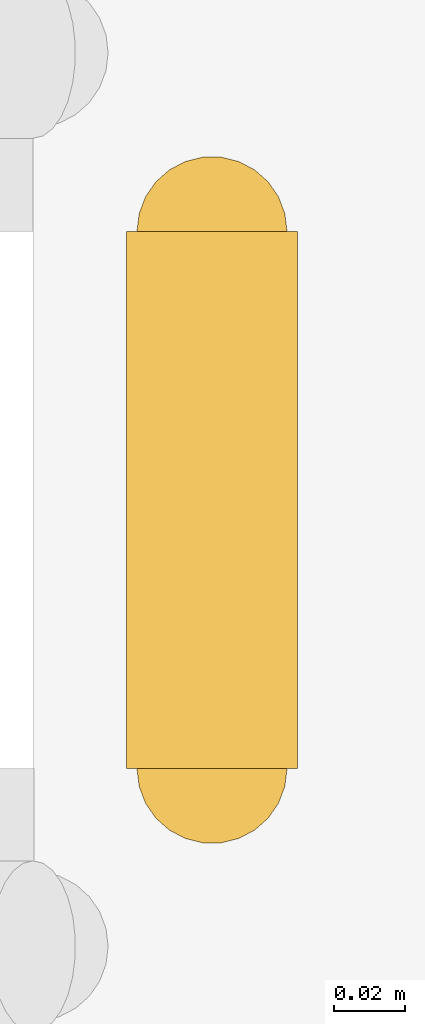
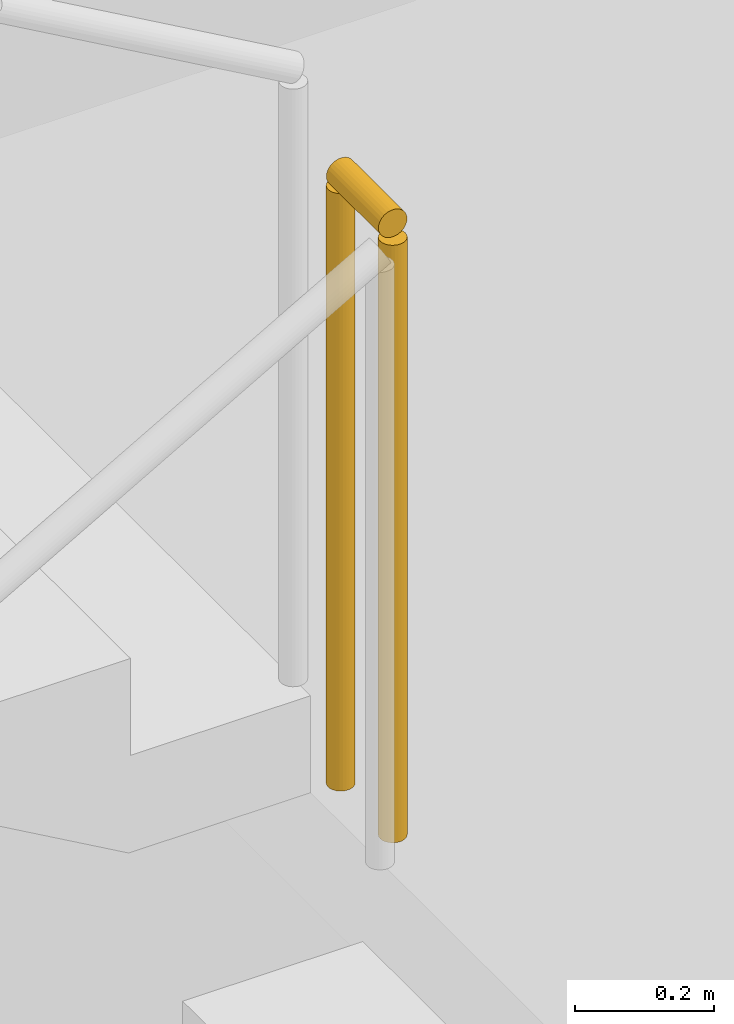
# One storey, part 29 of 31: 1 railing.
"""IFC4 building model written with IfcOpenShell, lengths in metres."""

import ifcopenshell
import ifcopenshell.guid

model = None  # the IFC model being written
_history = None  # IfcOwnerHistory: only IFC2X3 demands one
_inside = {}  # id of a spatial element -> (the spatial element, [elements in it])
_under = {}  # id of a project, library or spatial element -> (it, [spatial elements below it])
_declared = {}  # id of a project -> (the project, [libraries it declares])
_typed = {}  # id of a type object -> (the type object, [elements of that type])
_made_of = {}  # id of a material, layer set ... -> (it, [elements and type objects made of it])


def new_model(schema):
    """Start an empty IFC model of exactly this schema.

    Asked for "IFC4X3", IfcOpenShell would pick the latest addendum, in which some entities
    have other attributes; the version numbers below select the first issue.
    IFC2X3 requires an IfcOwnerHistory on every rooted entity: one is made here for all.
    """
    global model, _history
    if schema == "IFC4X3":
        model = ifcopenshell.file(schema_version=(4, 3, 0, 0))
    else:
        model = ifcopenshell.file(schema=schema)
    _inside.clear()
    _under.clear()
    _declared.clear()
    _typed.clear()
    _made_of.clear()
    _history = None
    if model.schema == "IFC2X3":
        org = make("IfcOrganization", Name="unknown")
        user = make(
            "IfcPersonAndOrganization",
            ThePerson=make("IfcPerson", FamilyName="unknown"),
            TheOrganization=org,
        )
        app = make(
            "IfcApplication",
            ApplicationDeveloper=org,
            Version="unknown",
            ApplicationFullName="unknown",
            ApplicationIdentifier="unknown",
        )
        _history = make(
            "IfcOwnerHistory",
            OwningUser=user,
            OwningApplication=app,
            ChangeAction="ADDED",
            CreationDate=0,
        )
    return model


def make(cls, **values):
    """One entity of the class cls with the attributes given. An attribute that is None is left unset."""
    return model.create_entity(
        cls, **{name: value for name, value in values.items() if value is not None}
    )


def rooted(cls, **values):
    """An entity with a GlobalId (a new one), such as an element, a storey or a relation."""
    return make(cls, GlobalId=ifcopenshell.guid.new(), OwnerHistory=_history, **values)


def si_unit(unit_type, name, prefix=None):
    """IfcSIUnit, for example si_unit("LENGTHUNIT", "METRE", prefix="MILLI")."""
    return make("IfcSIUnit", UnitType=unit_type, Prefix=prefix, Name=name)


def assignment(units):
    """IfcUnitAssignment: the units of a project."""
    return None if units is None else make("IfcUnitAssignment", Units=units)


def point(xyz):
    """IfcCartesianPoint."""
    return None if xyz is None else make("IfcCartesianPoint", Coordinates=xyz)


def direction(xyz):
    """IfcDirection."""
    return None if xyz is None else make("IfcDirection", DirectionRatios=xyz)


def frame(location, z_axis=None, x_axis=None):
    """IfcAxis2Placement3D, a coordinate frame: its origin and axes. An axis left out is left unset."""
    return make(
        "IfcAxis2Placement3D",
        Location=point(location),
        Axis=direction(z_axis),
        RefDirection=direction(x_axis),
    )


def frame_2d(location, x_axis=None):
    """IfcAxis2Placement2D, a coordinate frame in the plane: its origin and x axis."""
    return make(
        "IfcAxis2Placement2D", Location=point(location), RefDirection=direction(x_axis)
    )


def origin():
    """The frame at (0, 0, 0) with its axes left unset."""
    return frame((0.0, 0.0, 0.0))


def origin_2d():
    """The frame at (0, 0) in the plane with its x axis left unset."""
    return frame_2d((0.0, 0.0))


def place(relative_to, where):
    """IfcLocalPlacement: puts the frame where relative to a parent placement (None: the world)."""
    return make(
        "IfcLocalPlacement", PlacementRelTo=relative_to, RelativePlacement=where
    )


def context(
    kind, dimensions, precision=None, world=None, true_north=None, identifier=None
):
    """IfcGeometricRepresentationContext, for example the 3D "Model" context."""
    return make(
        "IfcGeometricRepresentationContext",
        ContextIdentifier=identifier,
        ContextType=kind,
        CoordinateSpaceDimension=dimensions,
        Precision=precision,
        WorldCoordinateSystem=world,
        TrueNorth=true_north,
    )


def subcontext(parent, identifier, kind, view, scale=None):
    """IfcGeometricRepresentationSubContext, for example "Body" below "Model"."""
    return make(
        "IfcGeometricRepresentationSubContext",
        ContextIdentifier=identifier,
        ContextType=kind,
        ParentContext=parent,
        TargetScale=scale,
        TargetView=view,
    )


def project(units=None, contexts=None):
    """IfcProject with its units and contexts."""
    return rooted(
        "IfcProject",
        Name="project",
        RepresentationContexts=contexts,
        UnitsInContext=assignment(units),
    )


def spatial(cls, under=None, at=None, **own):
    """A site, building, storey or space (cls), placed at a placement, below another one or the project."""
    s = rooted(cls, ObjectPlacement=at, **own)
    if under is not None:
        _under.setdefault(under.id(), (under, []))[1].append(s)
    return s


def profile(cls, at=None, kind="AREA", **sizes):
    """A parametric profile (cls). Its sizes go by their IFC names, for example OverallWidth=200.0."""
    return make(cls, ProfileType=kind, Position=at, **sizes)


def circle(**sizes):
    """IfcCircleProfileDef."""
    return profile("IfcCircleProfileDef", **sizes)


def extrude(swept, where, along, depth):
    """IfcExtrudedAreaSolid: the profile swept, set in the frame where, extruded along a direction by depth."""
    return make(
        "IfcExtrudedAreaSolid",
        SweptArea=swept,
        Position=where,
        ExtrudedDirection=direction(along),
        Depth=depth,
    )


def shape(context_of_items, identifier, shape_type, items):
    """IfcShapeRepresentation: the items that make up one representation, for example the "Body"."""
    return make(
        "IfcShapeRepresentation",
        ContextOfItems=context_of_items,
        RepresentationIdentifier=identifier,
        RepresentationType=shape_type,
        Items=items,
    )


def material(Name=None, Category=None):
    """IfcMaterial."""
    return make("IfcMaterial", Name=Name, Category=Category)


def made_of(thing, what):
    """Note that an element or type object is made of a material, layer set ...; save() writes the relation."""
    if what is not None:
        _made_of.setdefault(what.id(), (what, []))[1].append(thing)
    return thing


def type_object(cls, material=None, **own):
    """A type object (cls), such as IfcWallType, which elements share."""
    return made_of(rooted(cls, **own), material)


def element(
    cls,
    number,
    at=None,
    inside=None,
    cuts=None,
    type_object=None,
    material=None,
    context=None,
    identifier="Body",
    shape_type=None,
    held_by="IfcProductDefinitionShape",
    body=None,
    shapes=None,
    **own,
):
    """One element of the class cls, such as IfcWall. Its Tag is "e" and its number.

    at: its placement. inside: the storey or other place that contains it. cuts: it is an
    opening in that element (IfcRelVoidsElement). A single representation is given by context,
    identifier, shape_type and body (its items); several are given by shapes. held_by: the class
    of the entity that holds the representations. save() writes the other relations.
    """
    e = rooted(cls, Tag="e%d" % number, ObjectPlacement=at, **own)
    if body is not None:
        shapes = [shape(context, identifier, shape_type, body)]
    if shapes is not None:
        e.Representation = make(held_by, Representations=shapes)
    if inside is not None:
        _inside.setdefault(inside.id(), (inside, []))[1].append(e)
    if cuts is not None:
        rooted(
            "IfcRelVoidsElement", RelatingBuildingElement=cuts, RelatedOpeningElement=e
        )
    if type_object is not None:
        _typed.setdefault(type_object.id(), (type_object, []))[1].append(e)
    return made_of(e, material)


def aggregate(whole, parts):
    """IfcRelAggregates: a whole, such as a stair, and the parts it consists of."""
    return rooted("IfcRelAggregates", RelatingObject=whole, RelatedObjects=parts)


def save(model, path):
    """Write the relations noted so far, then the file.

    IfcRelAggregates (storeys below a building ...), IfcRelContainedInSpatialStructure (elements
    in a storey), IfcRelDefinesByType, IfcRelAssociatesMaterial and IfcRelDeclares: one each for
    every whole, place, type object, material and project.
    """
    for whole, parts in _under.values():
        aggregate(whole, parts)
    for where, things in _inside.values():
        rooted(
            "IfcRelContainedInSpatialStructure",
            RelatedElements=things,
            RelatingStructure=where,
        )
    for kind, things in _typed.values():
        rooted("IfcRelDefinesByType", RelatedObjects=things, RelatingType=kind)
    for what, things in _made_of.values():
        rooted("IfcRelAssociatesMaterial", RelatedObjects=things, RelatingMaterial=what)
    for by, libraries in _declared.values():
        rooted("IfcRelDeclares", RelatingContext=by, RelatedDefinitions=libraries)
    model.write(path)


model = new_model("IFC4")

# Units and contexts
model_context = context("Model", 3, precision=1e-05, world=origin(), true_north=direction((0.0, 1.0)))
body_context = subcontext(model_context, "Body", "Model", "MODEL_VIEW")
ifc_project = project(units=[si_unit("LENGTHUNIT", "METRE"), si_unit("AREAUNIT", "SQUARE_METRE"), si_unit("VOLUMEUNIT", "CUBIC_METRE"), si_unit("PLANEANGLEUNIT", "RADIAN"), si_unit("MASSUNIT", "GRAM", prefix="KILO")], contexts=[model_context])

# Site, building, storey
site_placement = place(None, origin())
site = spatial("IfcSite", under=ifc_project, at=site_placement, CompositionType="ELEMENT")
building_placement = place(site_placement, origin())
building = spatial("IfcBuilding", under=site, at=building_placement, Name="Corbel Stack Research Tower", CompositionType="ELEMENT")
storey_placement = place(building_placement, frame((0.0, 0.0, 15.39990234375)))
storey = spatial("IfcBuildingStorey", under=building, at=storey_placement, Name="L03", CompositionType="ELEMENT", Elevation=15.39990234375)

# Railing
ifc_material = material(Name="Steel S235", Category="steel")
railing_type = type_object("IfcRailingType", Name="HR1 guard 1100", PredefinedType="GUARDRAIL", material=ifc_material)
railing_placement = place(storey_placement, frame((98.824951171875, -21.85009765625, 2.050048828125)))
element("IfcRailing", 1, at=railing_placement, inside=storey, type_object=railing_type, Name="L03 HS3 stair guard 2", PredefinedType="GUARDRAIL", context=body_context, shape_type="SweptSolid", body=[
    extrude(circle(Radius=0.02392578125, at=origin_2d()), frame((0.0, 0.0, 1.076171875), z_axis=(0.0, 1.0, 0.0), x_axis=(-1.0, 0.0, 0.0)), (0.0, 0.0, 1.0), 0.150146484375),
    extrude(circle(Radius=0.02099609375, at=origin_2d()), origin(), (0.0, 0.0, 1.0), 1.052001953125),
    extrude(circle(Radius=0.02099609375, at=origin_2d()), frame((0.0, 0.150146484375, 0.0)), (0.0, 0.0, 1.0), 1.052001953125),
])

save(model, "model.ifc")
